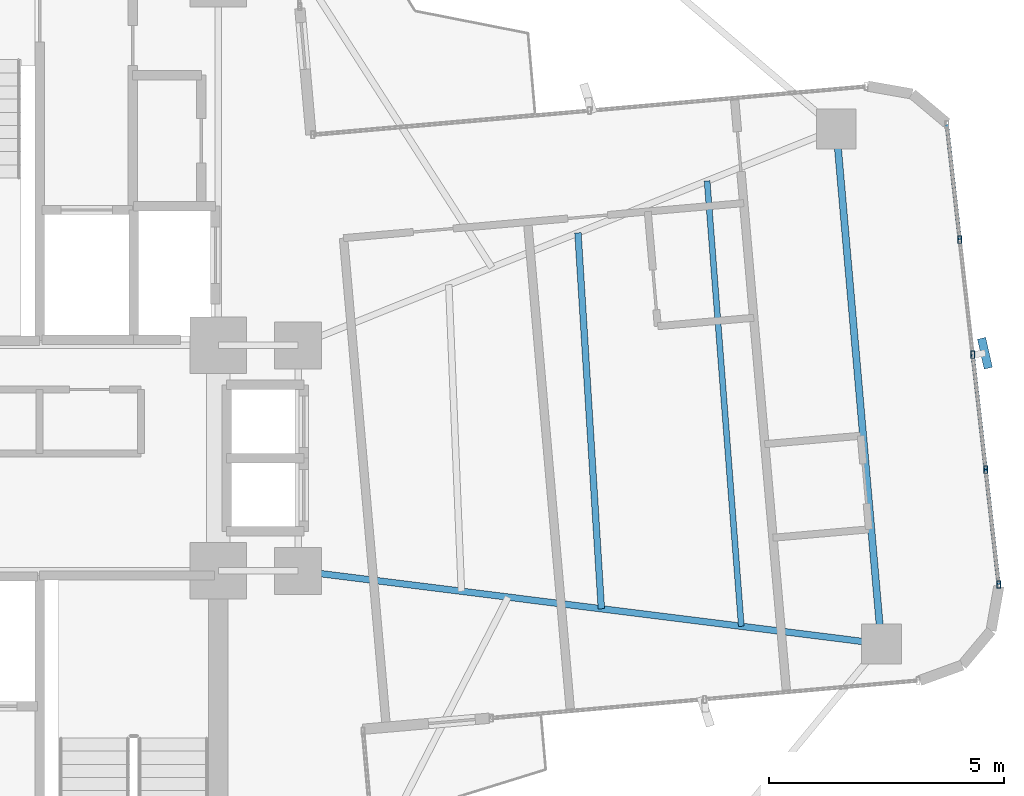
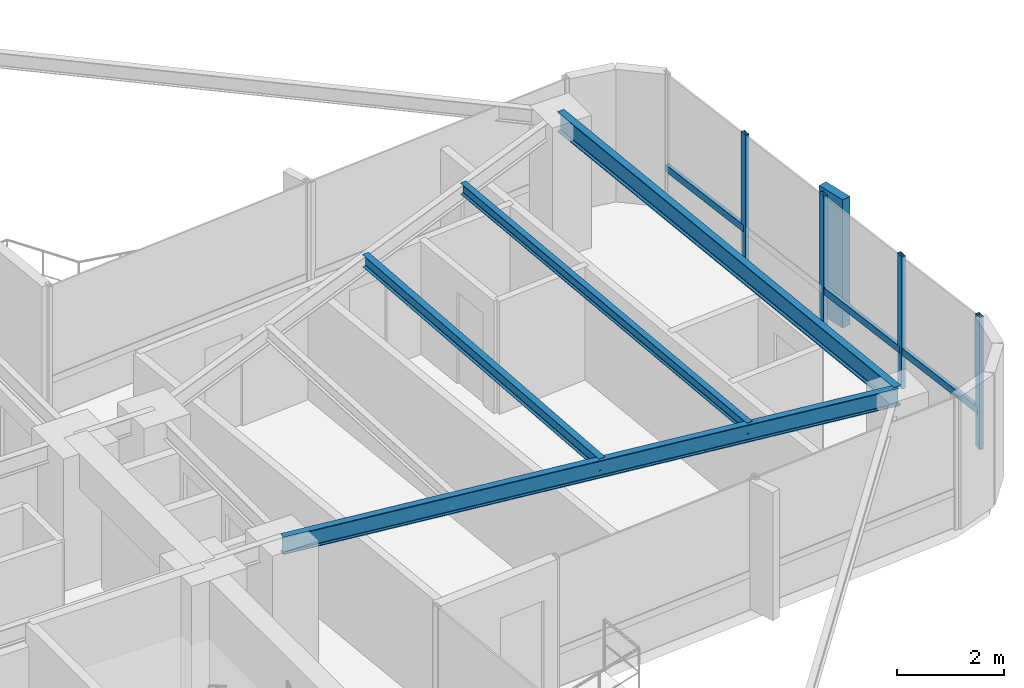
# One storey, part 14 of 24: 8 members, 4 beams, 1 element without a shape of its own.
"""IFC4 building model written with IfcOpenShell, lengths in metres."""

import ifcopenshell
import ifcopenshell.guid

model = None  # the IFC model being written
_history = None  # IfcOwnerHistory: only IFC2X3 demands one
_inside = {}  # id of a spatial element -> (the spatial element, [elements in it])
_under = {}  # id of a project, library or spatial element -> (it, [spatial elements below it])
_declared = {}  # id of a project -> (the project, [libraries it declares])
_typed = {}  # id of a type object -> (the type object, [elements of that type])
_made_of = {}  # id of a material, layer set ... -> (it, [elements and type objects made of it])


def new_model(schema):
    """Start an empty IFC model of exactly this schema.

    Asked for "IFC4X3", IfcOpenShell would pick the latest addendum, in which some entities
    have other attributes; the version numbers below select the first issue.
    IFC2X3 requires an IfcOwnerHistory on every rooted entity: one is made here for all.
    """
    global model, _history
    if schema == "IFC4X3":
        model = ifcopenshell.file(schema_version=(4, 3, 0, 0))
    else:
        model = ifcopenshell.file(schema=schema)
    _inside.clear()
    _under.clear()
    _declared.clear()
    _typed.clear()
    _made_of.clear()
    _history = None
    if model.schema == "IFC2X3":
        org = make("IfcOrganization", Name="unknown")
        user = make(
            "IfcPersonAndOrganization",
            ThePerson=make("IfcPerson", FamilyName="unknown"),
            TheOrganization=org,
        )
        app = make(
            "IfcApplication",
            ApplicationDeveloper=org,
            Version="unknown",
            ApplicationFullName="unknown",
            ApplicationIdentifier="unknown",
        )
        _history = make(
            "IfcOwnerHistory",
            OwningUser=user,
            OwningApplication=app,
            ChangeAction="ADDED",
            CreationDate=0,
        )
    return model


def make(cls, **values):
    """One entity of the class cls with the attributes given. An attribute that is None is left unset."""
    return model.create_entity(
        cls, **{name: value for name, value in values.items() if value is not None}
    )


def rooted(cls, **values):
    """An entity with a GlobalId (a new one), such as an element, a storey or a relation."""
    return make(cls, GlobalId=ifcopenshell.guid.new(), OwnerHistory=_history, **values)


def si_unit(unit_type, name, prefix=None):
    """IfcSIUnit, for example si_unit("LENGTHUNIT", "METRE", prefix="MILLI")."""
    return make("IfcSIUnit", UnitType=unit_type, Prefix=prefix, Name=name)


def assignment(units):
    """IfcUnitAssignment: the units of a project."""
    return None if units is None else make("IfcUnitAssignment", Units=units)


def point(xyz):
    """IfcCartesianPoint."""
    return None if xyz is None else make("IfcCartesianPoint", Coordinates=xyz)


def direction(xyz):
    """IfcDirection."""
    return None if xyz is None else make("IfcDirection", DirectionRatios=xyz)


def frame(location, z_axis=None, x_axis=None):
    """IfcAxis2Placement3D, a coordinate frame: its origin and axes. An axis left out is left unset."""
    return make(
        "IfcAxis2Placement3D",
        Location=point(location),
        Axis=direction(z_axis),
        RefDirection=direction(x_axis),
    )


def frame_2d(location, x_axis=None):
    """IfcAxis2Placement2D, a coordinate frame in the plane: its origin and x axis."""
    return make(
        "IfcAxis2Placement2D", Location=point(location), RefDirection=direction(x_axis)
    )


def origin():
    """The frame at (0, 0, 0) with its axes left unset."""
    return frame((0.0, 0.0, 0.0))


def origin_2d():
    """The frame at (0, 0) in the plane with its x axis left unset."""
    return frame_2d((0.0, 0.0))


def place(relative_to, where):
    """IfcLocalPlacement: puts the frame where relative to a parent placement (None: the world)."""
    return make(
        "IfcLocalPlacement", PlacementRelTo=relative_to, RelativePlacement=where
    )


def context(
    kind, dimensions, precision=None, world=None, true_north=None, identifier=None
):
    """IfcGeometricRepresentationContext, for example the 3D "Model" context."""
    return make(
        "IfcGeometricRepresentationContext",
        ContextIdentifier=identifier,
        ContextType=kind,
        CoordinateSpaceDimension=dimensions,
        Precision=precision,
        WorldCoordinateSystem=world,
        TrueNorth=true_north,
    )


def subcontext(parent, identifier, kind, view, scale=None):
    """IfcGeometricRepresentationSubContext, for example "Body" below "Model"."""
    return make(
        "IfcGeometricRepresentationSubContext",
        ContextIdentifier=identifier,
        ContextType=kind,
        ParentContext=parent,
        TargetScale=scale,
        TargetView=view,
    )


def project(units=None, contexts=None):
    """IfcProject with its units and contexts."""
    return rooted(
        "IfcProject",
        Name="project",
        RepresentationContexts=contexts,
        UnitsInContext=assignment(units),
    )


def spatial(cls, under=None, at=None, **own):
    """A site, building, storey or space (cls), placed at a placement, below another one or the project."""
    s = rooted(cls, ObjectPlacement=at, **own)
    if under is not None:
        _under.setdefault(under.id(), (under, []))[1].append(s)
    return s


def profile(cls, at=None, kind="AREA", **sizes):
    """A parametric profile (cls). Its sizes go by their IFC names, for example OverallWidth=200.0."""
    return make(cls, ProfileType=kind, Position=at, **sizes)


def rectangle(**sizes):
    """IfcRectangleProfileDef."""
    return profile("IfcRectangleProfileDef", **sizes)


def hollow_rectangle(**sizes):
    """IfcRectangleHollowProfileDef."""
    return profile("IfcRectangleHollowProfileDef", **sizes)


def i_section(**sizes):
    """IfcIShapeProfileDef."""
    return profile("IfcIShapeProfileDef", **sizes)


def extrude(swept, where, along, depth):
    """IfcExtrudedAreaSolid: the profile swept, set in the frame where, extruded along a direction by depth."""
    return make(
        "IfcExtrudedAreaSolid",
        SweptArea=swept,
        Position=where,
        ExtrudedDirection=direction(along),
        Depth=depth,
    )


def shape(context_of_items, identifier, shape_type, items):
    """IfcShapeRepresentation: the items that make up one representation, for example the "Body"."""
    return make(
        "IfcShapeRepresentation",
        ContextOfItems=context_of_items,
        RepresentationIdentifier=identifier,
        RepresentationType=shape_type,
        Items=items,
    )


def source(mapping_origin, context_of_items, identifier, shape_type, items):
    """IfcRepresentationMap: a shape defined once, which mapped items show again and again."""
    return make(
        "IfcRepresentationMap",
        MappingOrigin=mapping_origin,
        MappedRepresentation=shape(context_of_items, identifier, shape_type, items),
    )


def transform(
    local_origin,
    x_axis=None,
    y_axis=None,
    z_axis=None,
    scale=None,
    scale2=None,
    scale3=None,
    uniform=True,
):
    """IfcCartesianTransformationOperator3D, or its non-uniform kind. x_axis, y_axis, z_axis: its Axis1, 2, 3."""
    if uniform:
        return make(
            "IfcCartesianTransformationOperator3D",
            Axis1=direction(x_axis),
            Axis2=direction(y_axis),
            LocalOrigin=point(local_origin),
            Scale=scale,
            Axis3=direction(z_axis),
        )
    return make(
        "IfcCartesianTransformationOperator3DnonUniform",
        Axis1=direction(x_axis),
        Axis2=direction(y_axis),
        LocalOrigin=point(local_origin),
        Scale=scale,
        Axis3=direction(z_axis),
        Scale2=scale2,
        Scale3=scale3,
    )


def mapped(mapping_source, mapping_target):
    """IfcMappedItem: shows the shape of a source again, moved by a transform."""
    return make(
        "IfcMappedItem", MappingSource=mapping_source, MappingTarget=mapping_target
    )


def material(Name=None, Category=None):
    """IfcMaterial."""
    return make("IfcMaterial", Name=Name, Category=Category)


def material_profile(
    of_material, cross_section, Name=None, Category=None, Priority=None
):
    """IfcMaterialProfile: a cross section and its material."""
    return make(
        "IfcMaterialProfile",
        Name=Name,
        Material=of_material,
        Profile=cross_section,
        Priority=Priority,
        Category=Category,
    )


def profile_set(profiles, Name=None, composite=None):
    """IfcMaterialProfileSet."""
    return make(
        "IfcMaterialProfileSet",
        Name=Name,
        MaterialProfiles=profiles,
        CompositeProfile=composite,
    )


def made_of(thing, what):
    """Note that an element or type object is made of a material, layer set ...; save() writes the relation."""
    if what is not None:
        _made_of.setdefault(what.id(), (what, []))[1].append(thing)
    return thing


def type_object(cls, material=None, **own):
    """A type object (cls), such as IfcWallType, which elements share."""
    return made_of(rooted(cls, **own), material)


def element(
    cls,
    number,
    at=None,
    inside=None,
    cuts=None,
    type_object=None,
    material=None,
    context=None,
    identifier="Body",
    shape_type=None,
    held_by="IfcProductDefinitionShape",
    body=None,
    shapes=None,
    **own,
):
    """One element of the class cls, such as IfcWall. Its Tag is "e" and its number.

    at: its placement. inside: the storey or other place that contains it. cuts: it is an
    opening in that element (IfcRelVoidsElement). A single representation is given by context,
    identifier, shape_type and body (its items); several are given by shapes. held_by: the class
    of the entity that holds the representations. save() writes the other relations.
    """
    e = rooted(cls, Tag="e%d" % number, ObjectPlacement=at, **own)
    if body is not None:
        shapes = [shape(context, identifier, shape_type, body)]
    if shapes is not None:
        e.Representation = make(held_by, Representations=shapes)
    if inside is not None:
        _inside.setdefault(inside.id(), (inside, []))[1].append(e)
    if cuts is not None:
        rooted(
            "IfcRelVoidsElement", RelatingBuildingElement=cuts, RelatedOpeningElement=e
        )
    if type_object is not None:
        _typed.setdefault(type_object.id(), (type_object, []))[1].append(e)
    return made_of(e, material)


def aggregate(whole, parts):
    """IfcRelAggregates: a whole, such as a stair, and the parts it consists of."""
    return rooted("IfcRelAggregates", RelatingObject=whole, RelatedObjects=parts)


def save(model, path):
    """Write the relations noted so far, then the file.

    IfcRelAggregates (storeys below a building ...), IfcRelContainedInSpatialStructure (elements
    in a storey), IfcRelDefinesByType, IfcRelAssociatesMaterial and IfcRelDeclares: one each for
    every whole, place, type object, material and project.
    """
    for whole, parts in _under.values():
        aggregate(whole, parts)
    for where, things in _inside.values():
        rooted(
            "IfcRelContainedInSpatialStructure",
            RelatedElements=things,
            RelatingStructure=where,
        )
    for kind, things in _typed.values():
        rooted("IfcRelDefinesByType", RelatedObjects=things, RelatingType=kind)
    for what, things in _made_of.values():
        rooted("IfcRelAssociatesMaterial", RelatedObjects=things, RelatingMaterial=what)
    for by, libraries in _declared.values():
        rooted("IfcRelDeclares", RelatingContext=by, RelatedDefinitions=libraries)
    model.write(path)


model = new_model("IFC4")

# Units and contexts
model_context = context("Model", 3, precision=1e-05, world=origin(), true_north=direction((0.0, 1.0)))
body_context = subcontext(model_context, "Body", "Model", "MODEL_VIEW")
ifc_project = project(units=[si_unit("LENGTHUNIT", "METRE"), si_unit("AREAUNIT", "SQUARE_METRE"), si_unit("VOLUMEUNIT", "CUBIC_METRE"), si_unit("PLANEANGLEUNIT", "RADIAN"), si_unit("MASSUNIT", "GRAM", prefix="KILO")], contexts=[model_context])

# Site, building, storey
site_placement = place(None, origin())
site = spatial("IfcSite", under=ifc_project, at=site_placement, CompositionType="ELEMENT")
building_placement = place(site_placement, origin())
building = spatial("IfcBuilding", under=site, at=building_placement, Name="Sahyath Konkavel Grand Hotel", CompositionType="ELEMENT")
storey_placement = place(building_placement, frame((0.0, 0.0, 198.64990234375)))
storey = spatial("IfcBuildingStorey", under=building, at=storey_placement, Name="L55", CompositionType="ELEMENT", Elevation=198.64990234375)

# Beams
ifc_material_1 = material(Name="Steel E350", Category="steel")
ifc_material_profile_1 = material_profile(ifc_material_1, i_section(OverallWidth=0.139892578125, OverallDepth=0.39990234375, WebThickness=0.0087890625, FlangeThickness=0.01611328125, FilletRadius=0.013916015625, at=origin_2d()), Name="ISMB 400")
ifc_profile_set_1 = profile_set([ifc_material_profile_1], Name="Steel E350")
beam_type_1 = type_object("IfcBeamType", Name="BM-ISMB400", PredefinedType="BEAM", material=ifc_profile_set_1)
shared_shape_1 = source(origin(), body_context, "Body", "SweptSolid", [
    extrude(i_section(OverallWidth=0.139892578125, OverallDepth=0.39990234375, WebThickness=0.0087890625, FlangeThickness=0.01611328125, FilletRadius=0.013916015625, at=origin_2d()), origin(), (0.0, 0.0, 1.0), 12.509765625),
])
beam_1_placement = place(storey_placement, frame((5.5, -2.39990234375, 2.830078125), z_axis=(0.992254740459, -0.124219684578, 0.0), x_axis=(0.124219684578, 0.992254740459, 0.0)))
element("IfcBeam", 1, at=beam_1_placement, inside=storey, type_object=beam_type_1, Name="L55 Cruciform Radial Girder EA", PredefinedType="BEAM", context=body_context, shape_type="MappedRepresentation", body=[
    mapped(shared_shape_1, transform((0.0, 0.0, 0.0), scale=1.0)),
])
ifc_material_profile_2 = material_profile(ifc_material_1, i_section(OverallWidth=0.14990234375, OverallDepth=0.449951171875, WebThickness=0.009521484375, FlangeThickness=0.017333984375, FilletRadius=0.014892578125, at=origin_2d()), Name="ISMB 450")
ifc_profile_set_2 = profile_set([ifc_material_profile_2], Name="Steel E350")
beam_type_2 = type_object("IfcBeamType", Name="BM-ISMB450", PredefinedType="BEAM", material=ifc_profile_set_2)
shared_shape_2 = source(origin(), body_context, "Body", "SweptSolid", [
    extrude(i_section(OverallWidth=0.14990234375, OverallDepth=0.449951171875, WebThickness=0.009521484375, FlangeThickness=0.017333984375, FilletRadius=0.014892578125, at=origin_2d()), origin(), (0.0, 0.0, 1.0), 11.0),
])
beam_2_placement = place(storey_placement, frame((17.912841796875, -3.953857421875, 2.80517578125), z_axis=(-0.087157314015, 0.996194560622, 0.0), x_axis=(-0.996194560622, -0.087157314015, 0.0)))
element("IfcBeam", 2, at=beam_2_placement, inside=storey, type_object=beam_type_2, Name="L55 Wing Tip Edge Beam E", PredefinedType="BEAM", context=body_context, shape_type="MappedRepresentation", body=[
    mapped(shared_shape_2, transform((0.0, 0.0, 0.0), scale=1.0)),
])
ifc_material_profile_3 = material_profile(ifc_material_1, i_section(OverallWidth=0.139892578125, OverallDepth=0.27490234375, WebThickness=0.00634765625, FlangeThickness=0.0087890625, FilletRadius=0.012939453125, at=origin_2d()), Name="ISLB 275")
ifc_profile_set_3 = profile_set([ifc_material_profile_3], Name="Steel E350")
beam_type_3 = type_object("IfcBeamType", Name="BM-ISLB275", PredefinedType="BEAM", material=ifc_profile_set_3)
shared_shape_3 = source(origin(), body_context, "Body", "SweptSolid", [
    extrude(i_section(OverallWidth=0.139892578125, OverallDepth=0.27490234375, WebThickness=0.00634765625, FlangeThickness=0.0087890625, FilletRadius=0.012939453125, at=origin_2d()), origin(), (0.0, 0.0, 1.0), 8.017822265625),
])
beam_3_placement = place(storey_placement, frame((11.95458984375, -3.2080078125, 2.892578125), z_axis=(-0.062179233264, 0.998064999362, 0.0), x_axis=(-0.998064999362, -0.062179233264, 0.0)))
element("IfcBeam", 3, at=beam_3_placement, inside=storey, type_object=beam_type_3, Name="L55 Secondary Floor Beam E-2", PredefinedType="BEAM", context=body_context, shape_type="MappedRepresentation", body=[
    mapped(shared_shape_3, transform((0.0, 0.0, 0.0), scale=1.0)),
])
ifc_material_profile_4 = material_profile(ifc_material_1, i_section(OverallWidth=0.125, OverallDepth=0.25, WebThickness=0.0068359375, FlangeThickness=0.012451171875, FilletRadius=0.012939453125, at=origin_2d()), Name="ISMB 250")
ifc_profile_set_4 = profile_set([ifc_material_profile_4], Name="Steel E350")
beam_type_4 = type_object("IfcBeamType", Name="BM-ISMB250", PredefinedType="BEAM", material=ifc_profile_set_4)
shared_shape_4 = source(origin(), body_context, "Body", "SweptSolid", [
    extrude(i_section(OverallWidth=0.125, OverallDepth=0.25, WebThickness=0.0068359375, FlangeThickness=0.012451171875, FilletRadius=0.012939453125, at=origin_2d()), origin(), (0.0, 0.0, 1.0), 9.508056640625),
])
beam_4_placement = place(storey_placement, frame((14.93359375, -3.580810546875, 2.905029296875), z_axis=(-0.076619921029, 0.997060373148, 0.0), x_axis=(-0.997060373148, -0.076619921029, 0.0)))
element("IfcBeam", 4, at=beam_4_placement, inside=storey, type_object=beam_type_4, Name="L55 Secondary Floor Beam E-3", PredefinedType="BEAM", context=body_context, shape_type="MappedRepresentation", body=[
    mapped(shared_shape_4, transform((0.0, 0.0, 0.0), scale=1.0)),
])

# Curtain wall, members
ifc_material_2 = material(Name="Anodised Bronze Aluminium & Low-E Glazing", Category="aluminium")
curtain_wall_type = type_object("IfcCurtainWallType", Name="CW-ZONE3", PredefinedType="NOTDEFINED", material=ifc_material_2)
curtain_wall_placement = place(storey_placement, origin())
curtain_wall = element("IfcCurtainWall", 5, at=curtain_wall_placement, inside=storey, type_object=curtain_wall_type, Name="L55 Unitised Curtain Wall F4", PredefinedType="NOTDEFINED")
ifc_material_3 = material(Name="Anodised Bronze Aluminium", Category="aluminium")
ifc_material_profile_5 = material_profile(ifc_material_3, hollow_rectangle(XDim=0.080078125, YDim=0.159912109375, WallThickness=0.006103515625, at=origin_2d()), Name="RHS 160x80x6")
ifc_profile_set_5 = profile_set([ifc_material_profile_5], Name="Anodised Bronze Aluminium")
member_type_1 = type_object("IfcMemberType", Name="CW-MUL-160", PredefinedType="MULLION", material=ifc_profile_set_5)
shared_shape_5 = source(origin(), body_context, "Body", "SweptSolid", [
    extrude(hollow_rectangle(XDim=0.080078125, YDim=0.159912109375, WallThickness=0.006103515625, at=origin_2d()), origin(), (0.0, 0.0, 1.0), 3.030029296875),
])
member_1_placement = place(storey_placement, frame((20.4111328125, -2.69140625, 0.0), z_axis=(0.0, 0.0, 1.0), x_axis=(1.0, 0.0, 0.0)))
member_1 = element("IfcMember", 6, at=member_1_placement, type_object=member_type_1, Name="L55 Curtain Wall Mullion F4-0", PredefinedType="MULLION", context=body_context, shape_type="MappedRepresentation", body=[
    mapped(shared_shape_5, transform((0.0, 0.0, 0.0), scale=1.0)),
])
member_2_placement = place(storey_placement, frame((20.135498046875, -0.24462890625, 0.0), z_axis=(0.0, 0.0, 1.0), x_axis=(1.0, 0.0, 0.0)))
member_2 = element("IfcMember", 7, at=member_2_placement, type_object=member_type_1, Name="L55 Curtain Wall Mullion F4-1", PredefinedType="MULLION", context=body_context, shape_type="MappedRepresentation", body=[
    mapped(shared_shape_5, transform((0.0, 0.0, 0.0), scale=1.0)),
])
member_3_placement = place(storey_placement, frame((19.859619140625, 2.201904296875, 0.0), z_axis=(0.0, 0.0, 1.0), x_axis=(1.0, 0.0, 0.0)))
member_3 = element("IfcMember", 8, at=member_3_placement, type_object=member_type_1, Name="L55 Curtain Wall Mullion F4-2", PredefinedType="MULLION", context=body_context, shape_type="MappedRepresentation", body=[
    mapped(shared_shape_5, transform((0.0, 0.0, 0.0), scale=1.0)),
])
member_4_placement = place(storey_placement, frame((19.583984375, 4.648193359375, 0.0), z_axis=(0.0, 0.0, 1.0), x_axis=(1.0, 0.0, 0.0)))
member_4 = element("IfcMember", 9, at=member_4_placement, type_object=member_type_1, Name="L55 Curtain Wall Mullion F4-3", PredefinedType="MULLION", context=body_context, shape_type="MappedRepresentation", body=[
    mapped(shared_shape_5, transform((0.0, 0.0, 0.0), scale=1.0)),
])
ifc_material_4 = material(Name="Warm Buff Sandstone Cladding on Concrete C50/60", Category="masonry")
ifc_material_profile_6 = material_profile(ifc_material_4, rectangle(XDim=0.179931640625, YDim=0.64990234375, at=origin_2d()), Name="FIN 180x650")
ifc_profile_set_6 = profile_set([ifc_material_profile_6], Name="Warm Buff Sandstone Cladding on Concrete C50/60")
member_type_2 = type_object("IfcMemberType", Name="FIN-SANDSTONE-650", PredefinedType="MULLION", material=ifc_profile_set_6)
shared_shape_6 = source(origin(), body_context, "Body", "SweptSolid", [
    extrude(rectangle(XDim=0.179931640625, YDim=0.64990234375, at=origin_2d()), origin(), (0.0, 0.0, 1.0), 2.929931640625),
])
member_5_placement = place(storey_placement, frame((20.1181640625, 2.23095703125, 0.050048828125), z_axis=(0.0, 0.0, 1.0), x_axis=(0.975419299024, 0.220356962886, 0.0)))
member_5 = element("IfcMember", 10, at=member_5_placement, type_object=member_type_2, Name="L55 Sandstone Vertical Solar Fin FIN F4-2", PredefinedType="MULLION", context=body_context, shape_type="MappedRepresentation", body=[
    mapped(shared_shape_6, transform((0.0, 0.0, 0.0), scale=1.0)),
])
ifc_material_profile_7 = material_profile(ifc_material_3, hollow_rectangle(XDim=0.080078125, YDim=0.159912109375, WallThickness=0.006103515625, at=origin_2d()), Name="RHS 160x80x6")
ifc_profile_set_7 = profile_set([ifc_material_profile_7], Name="Anodised Bronze Aluminium")
member_type_3 = type_object("IfcMemberType", Name="CW-TRN-160", PredefinedType="USERDEFINED", material=ifc_profile_set_7)
shared_shape_7 = source(origin(), body_context, "Body", "SweptSolid", [
    extrude(hollow_rectangle(XDim=0.080078125, YDim=0.159912109375, WallThickness=0.006103515625, at=origin_2d()), origin(), (0.0, 0.0, 1.0), 2.462158203125),
])
member_6_placement = place(storey_placement, frame((20.4111328125, -2.69140625, 0.85009765625), z_axis=(-0.11194409079, 0.993714506555, 0.0), x_axis=(-0.993714506555, -0.11194409079, 0.0)))
member_6 = element("IfcMember", 11, at=member_6_placement, type_object=member_type_3, Name="L55 Curtain Wall Transom F4-0-spandrel", ObjectType="TRANSOM", PredefinedType="USERDEFINED", context=body_context, shape_type="MappedRepresentation", body=[
    mapped(shared_shape_7, transform((0.0, 0.0, 0.0), scale=1.0)),
])
member_7_placement = place(storey_placement, frame((20.135498046875, -0.24462890625, 0.85009765625), z_axis=(-0.112053040279, 0.99370222711, 0.0), x_axis=(-0.99370222711, -0.112053040279, 0.0)))
member_7 = element("IfcMember", 12, at=member_7_placement, type_object=member_type_3, Name="L55 Curtain Wall Transom F4-1-spandrel", ObjectType="TRANSOM", PredefinedType="USERDEFINED", context=body_context, shape_type="MappedRepresentation", body=[
    mapped(shared_shape_7, transform((0.0, 0.0, 0.0), scale=1.0)),
])
member_8_placement = place(storey_placement, frame((19.583984375, 4.648193359375, 0.85009765625), z_axis=(-0.11194409079, 0.993714506555, 0.0), x_axis=(-0.993714506555, -0.11194409079, 0.0)))
member_8 = element("IfcMember", 13, at=member_8_placement, type_object=member_type_3, Name="L55 Curtain Wall Transom F4-3-spandrel", ObjectType="TRANSOM", PredefinedType="USERDEFINED", context=body_context, shape_type="MappedRepresentation", body=[
    mapped(shared_shape_7, transform((0.0, 0.0, 0.0), scale=1.0)),
])
aggregate(curtain_wall, [member_1, member_2, member_3, member_5, member_4, member_6, member_7, member_8])

save(model, "model.ifc")
